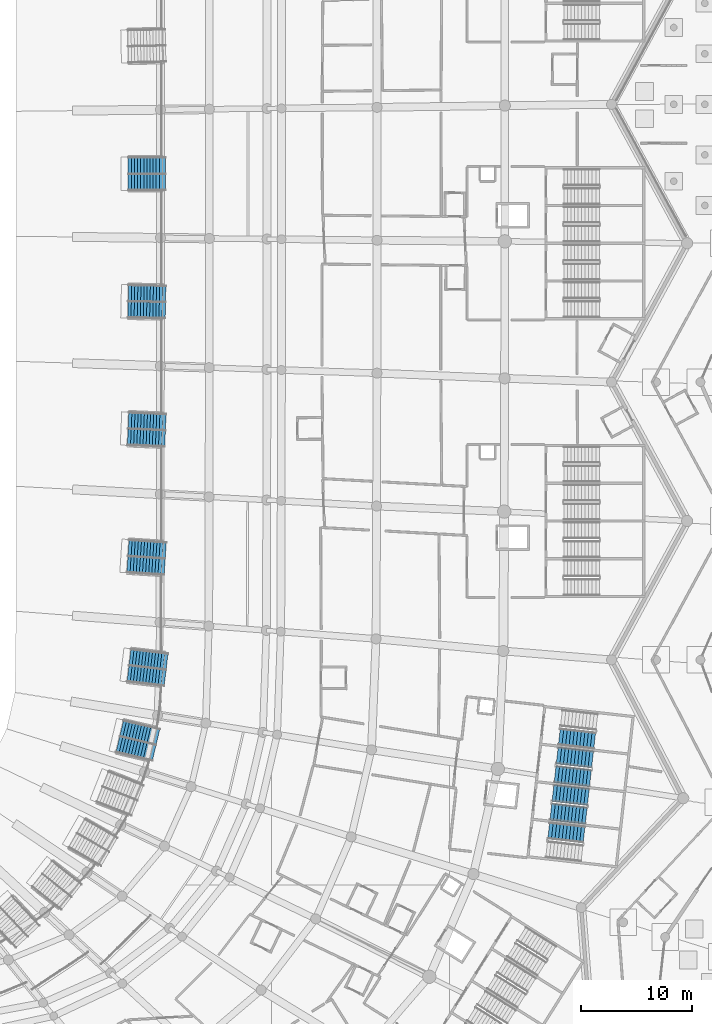
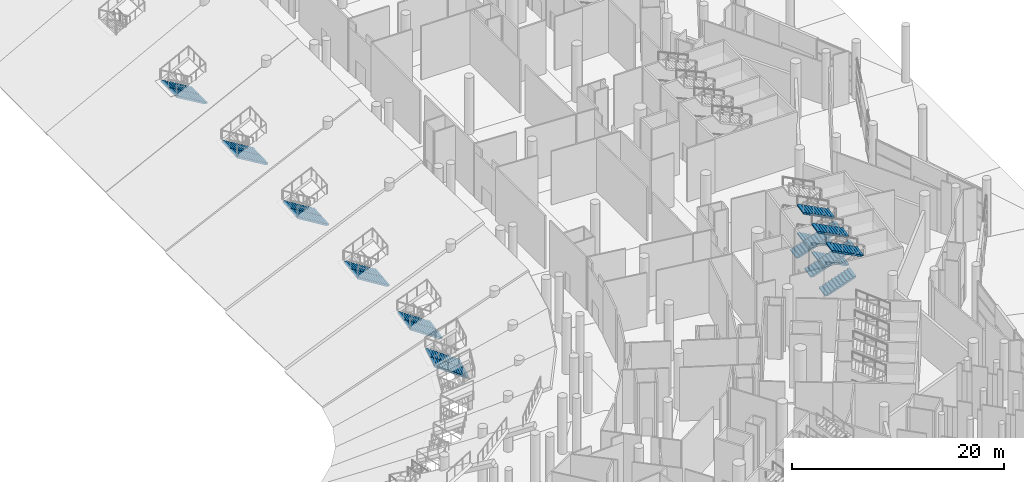
# One storey, part 169 of 255: 22 stair flights, 10 elements without a shape of their own.
"""IFC4 building model written with IfcOpenShell, lengths in metres."""

from ifc_helpers import new_model, si_unit, direction, frame, origin, place, context, subcontext, project, spatial, polyline, outline, extrude, material, type_object, element, aggregate, save


model = new_model("IFC4")

# Units and contexts
model_context = context("Model", 3, precision=1e-05, world=origin(), true_north=direction((0.0, 1.0)))
body_context = subcontext(model_context, "Body", "Model", "MODEL_VIEW")
ifc_project = project(units=[si_unit("LENGTHUNIT", "METRE"), si_unit("AREAUNIT", "SQUARE_METRE"), si_unit("VOLUMEUNIT", "CUBIC_METRE"), si_unit("PLANEANGLEUNIT", "RADIAN"), si_unit("MASSUNIT", "GRAM", prefix="KILO")], contexts=[model_context])

# Site, building, storey
site_placement = place(None, origin())
site = spatial("IfcSite", under=ifc_project, at=site_placement, CompositionType="ELEMENT")
building_placement = place(site_placement, origin())
building = spatial("IfcBuilding", under=site, at=building_placement, Name="Meseta Stadium", CompositionType="ELEMENT")
storey_placement = place(building_placement, origin())
storey = spatial("IfcBuildingStorey", under=building, at=storey_placement, Name="L00", CompositionType="ELEMENT", Elevation=0.0)

# Stair, stair flight
ifc_material_1 = material(Name="Concrete C40/50", Category="concrete")
stair_type_1 = type_object("IfcStairType", Name="Exit stair 4 flights 148 mm risers", PredefinedType="HALF_TURN_STAIR", material=ifc_material_1)
stair_1_placement = place(storey_placement, origin())
stair_1 = element("IfcStair", 1, at=stair_1_placement, inside=storey, type_object=stair_type_1, Name="ST1 L00", PredefinedType="HALF_TURN_STAIR")
ifc_material_2 = material(Name="Concrete C40/50", Category="concrete")
stair_flight_type_1 = type_object("IfcStairFlightType", Name="Exit stair flight 148 mm risers, 4 per storey", PredefinedType="STRAIGHT", material=ifc_material_2)
stair_flight_1_placement = place(storey_placement, frame((92.129150390625, -59.474365234375, 4.875), z_axis=(0.0, 0.0, 1.0), x_axis=(-0.993712210731, 0.11196446867, 0.0)))
stair_flight_1 = element("IfcStairFlight", 2, at=stair_flight_1_placement, type_object=stair_flight_type_1, Name="ST1 L00 flight 4", NumberOfRisers=11, NumberOfTreads=10, PredefinedType="STRAIGHT", RiserHeight=0.147727273, TreadLength=0.32, context=body_context, shape_type="SweptSolid", body=[
    extrude(outline(polyline([(0.0, 0.0), (0.0, 0.147705078125), (0.320068359375, 0.147705078125), (0.320068359375, 0.29541015625), (0.639892578125, 0.29541015625), (0.639892578125, 0.443115234375), (0.9599609375, 0.443115234375), (0.9599609375, 0.5908203125), (1.280029296875, 0.5908203125), (1.280029296875, 0.738525390625), (1.60009765625, 0.738525390625), (1.60009765625, 0.886474609375), (1.919921875, 0.886474609375), (1.919921875, 1.0341796875), (2.239990234375, 1.0341796875), (2.239990234375, 1.181884765625), (2.56005859375, 1.181884765625), (2.56005859375, 1.32958984375), (2.8798828125, 1.32958984375), (2.8798828125, 1.477294921875), (3.199951171875, 1.477294921875), (3.199951171875, 1.312255859375), (0.357666015625, 0.0), (0.0, 0.0)])), frame((0.0, 0.75, 0.0), z_axis=(0.0, -1.0, 0.0), x_axis=(1.0, 0.0, 0.0)), (0.0, 0.0, 1.0), 1.5),
])
aggregate(stair_1, [stair_flight_1])

# Stair, stair flights
stair_2_placement = place(storey_placement, origin())
stair_2 = element("IfcStair", 3, at=stair_2_placement, inside=storey, type_object=stair_type_1, Name="ST2 L00", PredefinedType="HALF_TURN_STAIR")
stair_flight_2_placement = place(storey_placement, frame((89.1396484375, -57.4267578125, 0.0), z_axis=(0.0, 0.0, 1.0), x_axis=(0.993712210731, -0.11196446867, 0.0)))
stair_flight_2 = element("IfcStairFlight", 4, at=stair_flight_2_placement, type_object=stair_flight_type_1, Name="ST2 L00 flight 1", NumberOfRisers=11, NumberOfTreads=10, PredefinedType="STRAIGHT", RiserHeight=0.147727273, TreadLength=0.32, context=body_context, shape_type="SweptSolid", body=[
    extrude(outline(polyline([(0.0, 0.0), (0.0, 0.147705078125), (0.320068359375, 0.147705078125), (0.320068359375, 0.29541015625), (0.639892578125, 0.29541015625), (0.639892578125, 0.443115234375), (0.9599609375, 0.443115234375), (0.9599609375, 0.5908203125), (1.280029296875, 0.5908203125), (1.280029296875, 0.738525390625), (1.60009765625, 0.738525390625), (1.60009765625, 0.886474609375), (1.919921875, 0.886474609375), (1.919921875, 1.0341796875), (2.239990234375, 1.0341796875), (2.239990234375, 1.181884765625), (2.56005859375, 1.181884765625), (2.56005859375, 1.32958984375), (2.8798828125, 1.32958984375), (2.8798828125, 1.477294921875), (3.199951171875, 1.477294921875), (3.199951171875, 1.312255859375), (0.357666015625, 0.0), (0.0, 0.0)])), frame((0.0, 0.75, 0.0), z_axis=(0.0, -1.0, 0.0), x_axis=(1.0, 0.0, 0.0)), (0.0, 0.0, 1.0), 1.5),
])
stair_flight_3_placement = place(storey_placement, frame((92.510009765625, -56.095703125, 1.625), z_axis=(0.0, 0.0, 1.0), x_axis=(-0.993712210731, 0.11196446867, 0.0)))
stair_flight_3 = element("IfcStairFlight", 5, at=stair_flight_3_placement, type_object=stair_flight_type_1, Name="ST2 L00 flight 2", NumberOfRisers=11, NumberOfTreads=10, PredefinedType="STRAIGHT", RiserHeight=0.147727273, TreadLength=0.32, context=body_context, shape_type="SweptSolid", body=[
    extrude(outline(polyline([(0.0, 0.0), (0.0, 0.147705078125), (0.320068359375, 0.147705078125), (0.320068359375, 0.29541015625), (0.639892578125, 0.29541015625), (0.639892578125, 0.443115234375), (0.9599609375, 0.443115234375), (0.9599609375, 0.5908203125), (1.280029296875, 0.5908203125), (1.280029296875, 0.738525390625), (1.60009765625, 0.738525390625), (1.60009765625, 0.886474609375), (1.919921875, 0.886474609375), (1.919921875, 1.0341796875), (2.239990234375, 1.0341796875), (2.239990234375, 1.181884765625), (2.56005859375, 1.181884765625), (2.56005859375, 1.32958984375), (2.8798828125, 1.32958984375), (2.8798828125, 1.477294921875), (3.199951171875, 1.477294921875), (3.199951171875, 1.312255859375), (0.357666015625, 0.0), (0.0, 0.0)])), frame((0.0, 0.75, 0.0), z_axis=(0.0, -1.0, 0.0), x_axis=(1.0, 0.0, 0.0)), (0.0, 0.0, 1.0), 1.5),
])
stair_flight_4_placement = place(storey_placement, frame((89.1396484375, -57.4267578125, 3.25), z_axis=(0.0, 0.0, 1.0), x_axis=(0.993712210731, -0.11196446867, 0.0)))
stair_flight_4 = element("IfcStairFlight", 6, at=stair_flight_4_placement, type_object=stair_flight_type_1, Name="ST2 L00 flight 3", NumberOfRisers=11, NumberOfTreads=10, PredefinedType="STRAIGHT", RiserHeight=0.147727273, TreadLength=0.32, context=body_context, shape_type="SweptSolid", body=[
    extrude(outline(polyline([(0.0, 0.0), (0.0, 0.147705078125), (0.320068359375, 0.147705078125), (0.320068359375, 0.29541015625), (0.639892578125, 0.29541015625), (0.639892578125, 0.443115234375), (0.9599609375, 0.443115234375), (0.9599609375, 0.5908203125), (1.280029296875, 0.5908203125), (1.280029296875, 0.738525390625), (1.60009765625, 0.738525390625), (1.60009765625, 0.886474609375), (1.919921875, 0.886474609375), (1.919921875, 1.0341796875), (2.239990234375, 1.0341796875), (2.239990234375, 1.181884765625), (2.56005859375, 1.181884765625), (2.56005859375, 1.32958984375), (2.8798828125, 1.32958984375), (2.8798828125, 1.477294921875), (3.199951171875, 1.477294921875), (3.199951171875, 1.312255859375), (0.357666015625, 0.0), (0.0, 0.0)])), frame((0.0, 0.75, 0.0), z_axis=(0.0, -1.0, 0.0), x_axis=(1.0, 0.0, 0.0)), (0.0, 0.0, 1.0), 1.5),
])
stair_flight_5_placement = place(storey_placement, frame((92.510009765625, -56.095703125, 4.875), z_axis=(0.0, 0.0, 1.0), x_axis=(-0.993712210731, 0.11196446867, 0.0)))
stair_flight_5 = element("IfcStairFlight", 7, at=stair_flight_5_placement, type_object=stair_flight_type_1, Name="ST2 L00 flight 4", NumberOfRisers=11, NumberOfTreads=10, PredefinedType="STRAIGHT", RiserHeight=0.147727273, TreadLength=0.32, context=body_context, shape_type="SweptSolid", body=[
    extrude(outline(polyline([(0.0, 0.0), (0.0, 0.147705078125), (0.320068359375, 0.147705078125), (0.320068359375, 0.29541015625), (0.639892578125, 0.29541015625), (0.639892578125, 0.443115234375), (0.9599609375, 0.443115234375), (0.9599609375, 0.5908203125), (1.280029296875, 0.5908203125), (1.280029296875, 0.738525390625), (1.60009765625, 0.738525390625), (1.60009765625, 0.886474609375), (1.919921875, 0.886474609375), (1.919921875, 1.0341796875), (2.239990234375, 1.0341796875), (2.239990234375, 1.181884765625), (2.56005859375, 1.181884765625), (2.56005859375, 1.32958984375), (2.8798828125, 1.32958984375), (2.8798828125, 1.477294921875), (3.199951171875, 1.477294921875), (3.199951171875, 1.312255859375), (0.357666015625, 0.0), (0.0, 0.0)])), frame((0.0, 0.75, 0.0), z_axis=(0.0, -1.0, 0.0), x_axis=(1.0, 0.0, 0.0)), (0.0, 0.0, 1.0), 1.5),
])
aggregate(stair_2, [stair_flight_2, stair_flight_3, stair_flight_4, stair_flight_5])

stair_3_placement = place(storey_placement, origin())
stair_3 = element("IfcStair", 8, at=stair_3_placement, inside=storey, type_object=stair_type_1, Name="ST3 L00", PredefinedType="HALF_TURN_STAIR")
stair_flight_6_placement = place(storey_placement, frame((89.5205078125, -54.048095703125, 0.0), z_axis=(0.0, 0.0, 1.0), x_axis=(0.993712210731, -0.11196446867, 0.0)))
stair_flight_6 = element("IfcStairFlight", 9, at=stair_flight_6_placement, type_object=stair_flight_type_1, Name="ST3 L00 flight 1", NumberOfRisers=11, NumberOfTreads=10, PredefinedType="STRAIGHT", RiserHeight=0.147727273, TreadLength=0.32, context=body_context, shape_type="SweptSolid", body=[
    extrude(outline(polyline([(0.0, 0.0), (0.0, 0.147705078125), (0.320068359375, 0.147705078125), (0.320068359375, 0.29541015625), (0.639892578125, 0.29541015625), (0.639892578125, 0.443115234375), (0.9599609375, 0.443115234375), (0.9599609375, 0.5908203125), (1.280029296875, 0.5908203125), (1.280029296875, 0.738525390625), (1.60009765625, 0.738525390625), (1.60009765625, 0.886474609375), (1.919921875, 0.886474609375), (1.919921875, 1.0341796875), (2.239990234375, 1.0341796875), (2.239990234375, 1.181884765625), (2.56005859375, 1.181884765625), (2.56005859375, 1.32958984375), (2.8798828125, 1.32958984375), (2.8798828125, 1.477294921875), (3.199951171875, 1.477294921875), (3.199951171875, 1.312255859375), (0.357666015625, 0.0), (0.0, 0.0)])), frame((0.0, 0.75, 0.0), z_axis=(0.0, -1.0, 0.0), x_axis=(1.0, 0.0, 0.0)), (0.0, 0.0, 1.0), 1.5),
])
stair_flight_7_placement = place(storey_placement, frame((92.890625, -52.71728515625, 1.625), z_axis=(0.0, 0.0, 1.0), x_axis=(-0.993712210731, 0.11196446867, 0.0)))
stair_flight_7 = element("IfcStairFlight", 10, at=stair_flight_7_placement, type_object=stair_flight_type_1, Name="ST3 L00 flight 2", NumberOfRisers=11, NumberOfTreads=10, PredefinedType="STRAIGHT", RiserHeight=0.147727273, TreadLength=0.32, context=body_context, shape_type="SweptSolid", body=[
    extrude(outline(polyline([(0.0, 0.0), (0.0, 0.147705078125), (0.320068359375, 0.147705078125), (0.320068359375, 0.29541015625), (0.639892578125, 0.29541015625), (0.639892578125, 0.443115234375), (0.9599609375, 0.443115234375), (0.9599609375, 0.5908203125), (1.280029296875, 0.5908203125), (1.280029296875, 0.738525390625), (1.60009765625, 0.738525390625), (1.60009765625, 0.886474609375), (1.919921875, 0.886474609375), (1.919921875, 1.0341796875), (2.239990234375, 1.0341796875), (2.239990234375, 1.181884765625), (2.56005859375, 1.181884765625), (2.56005859375, 1.32958984375), (2.8798828125, 1.32958984375), (2.8798828125, 1.477294921875), (3.199951171875, 1.477294921875), (3.199951171875, 1.312255859375), (0.357666015625, 0.0), (0.0, 0.0)])), frame((0.0, 0.75, 0.0), z_axis=(0.0, -1.0, 0.0), x_axis=(1.0, 0.0, 0.0)), (0.0, 0.0, 1.0), 1.5),
])
stair_flight_8_placement = place(storey_placement, frame((89.5205078125, -54.048095703125, 3.25), z_axis=(0.0, 0.0, 1.0), x_axis=(0.993712210731, -0.11196446867, 0.0)))
stair_flight_8 = element("IfcStairFlight", 11, at=stair_flight_8_placement, type_object=stair_flight_type_1, Name="ST3 L00 flight 3", NumberOfRisers=11, NumberOfTreads=10, PredefinedType="STRAIGHT", RiserHeight=0.147727273, TreadLength=0.32, context=body_context, shape_type="SweptSolid", body=[
    extrude(outline(polyline([(0.0, 0.0), (0.0, 0.147705078125), (0.320068359375, 0.147705078125), (0.320068359375, 0.29541015625), (0.639892578125, 0.29541015625), (0.639892578125, 0.443115234375), (0.9599609375, 0.443115234375), (0.9599609375, 0.5908203125), (1.280029296875, 0.5908203125), (1.280029296875, 0.738525390625), (1.60009765625, 0.738525390625), (1.60009765625, 0.886474609375), (1.919921875, 0.886474609375), (1.919921875, 1.0341796875), (2.239990234375, 1.0341796875), (2.239990234375, 1.181884765625), (2.56005859375, 1.181884765625), (2.56005859375, 1.32958984375), (2.8798828125, 1.32958984375), (2.8798828125, 1.477294921875), (3.199951171875, 1.477294921875), (3.199951171875, 1.312255859375), (0.357666015625, 0.0), (0.0, 0.0)])), frame((0.0, 0.75, 0.0), z_axis=(0.0, -1.0, 0.0), x_axis=(1.0, 0.0, 0.0)), (0.0, 0.0, 1.0), 1.5),
])
stair_flight_9_placement = place(storey_placement, frame((92.890625, -52.71728515625, 4.875), z_axis=(0.0, 0.0, 1.0), x_axis=(-0.993712210731, 0.11196446867, 0.0)))
stair_flight_9 = element("IfcStairFlight", 12, at=stair_flight_9_placement, type_object=stair_flight_type_1, Name="ST3 L00 flight 4", NumberOfRisers=11, NumberOfTreads=10, PredefinedType="STRAIGHT", RiserHeight=0.147727273, TreadLength=0.32, context=body_context, shape_type="SweptSolid", body=[
    extrude(outline(polyline([(0.0, 0.0), (0.0, 0.147705078125), (0.320068359375, 0.147705078125), (0.320068359375, 0.29541015625), (0.639892578125, 0.29541015625), (0.639892578125, 0.443115234375), (0.9599609375, 0.443115234375), (0.9599609375, 0.5908203125), (1.280029296875, 0.5908203125), (1.280029296875, 0.738525390625), (1.60009765625, 0.738525390625), (1.60009765625, 0.886474609375), (1.919921875, 0.886474609375), (1.919921875, 1.0341796875), (2.239990234375, 1.0341796875), (2.239990234375, 1.181884765625), (2.56005859375, 1.181884765625), (2.56005859375, 1.32958984375), (2.8798828125, 1.32958984375), (2.8798828125, 1.477294921875), (3.199951171875, 1.477294921875), (3.199951171875, 1.312255859375), (0.357666015625, 0.0), (0.0, 0.0)])), frame((0.0, 0.75, 0.0), z_axis=(0.0, -1.0, 0.0), x_axis=(1.0, 0.0, 0.0)), (0.0, 0.0, 1.0), 1.5),
])
aggregate(stair_3, [stair_flight_6, stair_flight_7, stair_flight_8, stair_flight_9])

# Stair, stair flight
stair_4_placement = place(storey_placement, origin())
stair_4 = element("IfcStair", 13, at=stair_4_placement, inside=storey, type_object=stair_type_1, Name="ST4 L00", PredefinedType="HALF_TURN_STAIR")
stair_flight_10_placement = place(storey_placement, frame((89.901123046875, -50.669677734375, 0.0), z_axis=(0.0, 0.0, 1.0), x_axis=(0.993712210731, -0.11196446867, 0.0)))
stair_flight_10 = element("IfcStairFlight", 14, at=stair_flight_10_placement, type_object=stair_flight_type_1, Name="ST4 L00 flight 1", NumberOfRisers=11, NumberOfTreads=10, PredefinedType="STRAIGHT", RiserHeight=0.147727273, TreadLength=0.32, context=body_context, shape_type="SweptSolid", body=[
    extrude(outline(polyline([(0.0, 0.0), (0.0, 0.147705078125), (0.320068359375, 0.147705078125), (0.320068359375, 0.29541015625), (0.639892578125, 0.29541015625), (0.639892578125, 0.443115234375), (0.9599609375, 0.443115234375), (0.9599609375, 0.5908203125), (1.280029296875, 0.5908203125), (1.280029296875, 0.738525390625), (1.60009765625, 0.738525390625), (1.60009765625, 0.886474609375), (1.919921875, 0.886474609375), (1.919921875, 1.0341796875), (2.239990234375, 1.0341796875), (2.239990234375, 1.181884765625), (2.56005859375, 1.181884765625), (2.56005859375, 1.32958984375), (2.8798828125, 1.32958984375), (2.8798828125, 1.477294921875), (3.199951171875, 1.477294921875), (3.199951171875, 1.312255859375), (0.357666015625, 0.0), (0.0, 0.0)])), frame((0.0, 0.75, 0.0), z_axis=(0.0, -1.0, 0.0), x_axis=(1.0, 0.0, 0.0)), (0.0, 0.0, 1.0), 1.5),
])
aggregate(stair_4, [stair_flight_10])

# Stair, stair flights
ifc_material_3 = material(Name="Concrete C40/50", Category="concrete")
stair_type_2 = type_object("IfcStairType", Name="Vomitory stair 3000", PredefinedType="STRAIGHT_RUN_STAIR", material=ifc_material_3)
stair_5_placement = place(storey_placement, origin())
stair_5 = element("IfcStair", 15, at=stair_5_placement, inside=storey, type_object=stair_type_2, Name="Vomitory V-lower-01", PredefinedType="STRAIGHT_RUN_STAIR")
ifc_material_4 = material(Name="Concrete C40/50", Category="concrete")
stair_flight_type_2 = type_object("IfcStairFlightType", Name="Vomitory stair flight 1450", PredefinedType="STRAIGHT", material=ifc_material_4)
stair_flight_11_placement = place(storey_placement, frame((54.417236328125, -45.40625, 0.0), z_axis=(0.0, 0.0, 1.0), x_axis=(-0.993015017931, 0.117988025512, 0.0)))
stair_flight_11 = element("IfcStairFlight", 16, at=stair_flight_11_placement, type_object=stair_flight_type_2, Name="Vomitory V-lower-01 flight 1", NumberOfRisers=13, NumberOfTreads=12, PredefinedType="STRAIGHT", RiserHeight=0.172959, TreadLength=0.28, context=body_context, shape_type="SweptSolid", body=[
    extrude(outline(polyline([(0.0, 0.0), (0.0, 0.1728515625), (0.280029296875, 0.1728515625), (0.280029296875, 0.345947265625), (0.56005859375, 0.345947265625), (0.56005859375, 0.518798828125), (0.840087890625, 0.518798828125), (0.840087890625, 0.69189453125), (1.1201171875, 0.69189453125), (1.1201171875, 0.86474609375), (1.39990234375, 0.86474609375), (1.39990234375, 1.037841796875), (1.679931640625, 1.037841796875), (1.679931640625, 1.210693359375), (1.9599609375, 1.210693359375), (1.9599609375, 1.3837890625), (2.239990234375, 1.3837890625), (2.239990234375, 1.556640625), (2.52001953125, 1.556640625), (2.52001953125, 1.7294921875), (2.800048828125, 1.7294921875), (2.800048828125, 1.902587890625), (3.080078125, 1.902587890625), (3.080078125, 2.075439453125), (3.360107421875, 2.075439453125), (3.360107421875, 1.8994140625), (0.28515625, 0.0), (0.0, 0.0)])), frame((0.0, 0.72509765625, 0.0), z_axis=(0.0, -1.0, 0.0), x_axis=(1.0, 0.0, 0.0)), (0.0, 0.0, 1.0), 1.449951171875),
])
stair_flight_12_placement = place(storey_placement, frame((54.60009765625, -43.8671875, 0.0), z_axis=(0.0, 0.0, 1.0), x_axis=(-0.993015017931, 0.117988025512, 0.0)))
stair_flight_12 = element("IfcStairFlight", 17, at=stair_flight_12_placement, type_object=stair_flight_type_2, Name="Vomitory V-lower-01 flight 2", NumberOfRisers=13, NumberOfTreads=12, PredefinedType="STRAIGHT", RiserHeight=0.172959, TreadLength=0.28, context=body_context, shape_type="SweptSolid", body=[
    extrude(outline(polyline([(0.0, 0.0), (0.0, 0.1728515625), (0.280029296875, 0.1728515625), (0.280029296875, 0.345947265625), (0.56005859375, 0.345947265625), (0.56005859375, 0.518798828125), (0.840087890625, 0.518798828125), (0.840087890625, 0.69189453125), (1.1201171875, 0.69189453125), (1.1201171875, 0.86474609375), (1.39990234375, 0.86474609375), (1.39990234375, 1.037841796875), (1.679931640625, 1.037841796875), (1.679931640625, 1.210693359375), (1.9599609375, 1.210693359375), (1.9599609375, 1.3837890625), (2.239990234375, 1.3837890625), (2.239990234375, 1.556640625), (2.52001953125, 1.556640625), (2.52001953125, 1.7294921875), (2.800048828125, 1.7294921875), (2.800048828125, 1.902587890625), (3.080078125, 1.902587890625), (3.080078125, 2.075439453125), (3.360107421875, 2.075439453125), (3.360107421875, 1.8994140625), (0.28515625, 0.0), (0.0, 0.0)])), frame((0.0, 0.72509765625, 0.0), z_axis=(0.0, -1.0, 0.0), x_axis=(1.0, 0.0, 0.0)), (0.0, 0.0, 1.0), 1.449951171875),
])
aggregate(stair_5, [stair_flight_11, stair_flight_12])

stair_6_placement = place(storey_placement, origin())
stair_6 = element("IfcStair", 18, at=stair_6_placement, inside=storey, type_object=stair_type_2, Name="Vomitory V-lower-02", PredefinedType="STRAIGHT_RUN_STAIR")
stair_flight_13_placement = place(storey_placement, frame((54.37939453125, -35.40673828125, 0.0), z_axis=(0.0, 0.0, 1.0), x_axis=(-0.997842912451, 0.065646950207, 0.0)))
stair_flight_13 = element("IfcStairFlight", 19, at=stair_flight_13_placement, type_object=stair_flight_type_2, Name="Vomitory V-lower-02 flight 1", NumberOfRisers=13, NumberOfTreads=12, PredefinedType="STRAIGHT", RiserHeight=0.165438, TreadLength=0.28, context=body_context, shape_type="SweptSolid", body=[
    extrude(outline(polyline([(0.0, 0.0), (0.0, 0.16552734375), (0.280029296875, 0.16552734375), (0.280029296875, 0.330810546875), (0.56005859375, 0.330810546875), (0.56005859375, 0.496337890625), (0.840087890625, 0.496337890625), (0.840087890625, 0.661865234375), (1.1201171875, 0.661865234375), (1.1201171875, 0.8271484375), (1.39990234375, 0.8271484375), (1.39990234375, 0.99267578125), (1.679931640625, 0.99267578125), (1.679931640625, 1.157958984375), (1.9599609375, 1.157958984375), (1.9599609375, 1.323486328125), (2.239990234375, 1.323486328125), (2.239990234375, 1.489013671875), (2.52001953125, 1.489013671875), (2.52001953125, 1.654296875), (2.800048828125, 1.654296875), (2.800048828125, 1.81982421875), (3.080078125, 1.81982421875), (3.080078125, 1.9853515625), (3.360107421875, 1.9853515625), (3.360107421875, 1.81103515625), (0.294677734375, 0.0), (0.0, 0.0)])), frame((0.0, 0.72509765625, 0.0), z_axis=(0.0, -1.0, 0.0), x_axis=(1.0, 0.0, 0.0)), (0.0, 0.0, 1.0), 1.449951171875),
])
stair_flight_14_placement = place(storey_placement, frame((54.481201171875, -33.860107421875, 0.0), z_axis=(0.0, 0.0, 1.0), x_axis=(-0.997842912451, 0.065646950207, 0.0)))
stair_flight_14 = element("IfcStairFlight", 20, at=stair_flight_14_placement, type_object=stair_flight_type_2, Name="Vomitory V-lower-02 flight 2", NumberOfRisers=13, NumberOfTreads=12, PredefinedType="STRAIGHT", RiserHeight=0.165438, TreadLength=0.28, context=body_context, shape_type="SweptSolid", body=[
    extrude(outline(polyline([(0.0, 0.0), (0.0, 0.16552734375), (0.280029296875, 0.16552734375), (0.280029296875, 0.330810546875), (0.56005859375, 0.330810546875), (0.56005859375, 0.496337890625), (0.840087890625, 0.496337890625), (0.840087890625, 0.661865234375), (1.1201171875, 0.661865234375), (1.1201171875, 0.8271484375), (1.39990234375, 0.8271484375), (1.39990234375, 0.99267578125), (1.679931640625, 0.99267578125), (1.679931640625, 1.157958984375), (1.9599609375, 1.157958984375), (1.9599609375, 1.323486328125), (2.239990234375, 1.323486328125), (2.239990234375, 1.489013671875), (2.52001953125, 1.489013671875), (2.52001953125, 1.654296875), (2.800048828125, 1.654296875), (2.800048828125, 1.81982421875), (3.080078125, 1.81982421875), (3.080078125, 1.9853515625), (3.360107421875, 1.9853515625), (3.360107421875, 1.81103515625), (0.294677734375, 0.0), (0.0, 0.0)])), frame((0.0, 0.72509765625, 0.0), z_axis=(0.0, -1.0, 0.0), x_axis=(1.0, 0.0, 0.0)), (0.0, 0.0, 1.0), 1.449951171875),
])
aggregate(stair_6, [stair_flight_13, stair_flight_14])

stair_7_placement = place(storey_placement, origin())
stair_7 = element("IfcStair", 21, at=stair_7_placement, inside=storey, type_object=stair_type_2, Name="Vomitory V-lower-03", PredefinedType="STRAIGHT_RUN_STAIR")
stair_flight_15_placement = place(storey_placement, frame((54.41259765625, -23.864013671875, 0.0), z_axis=(0.0, 0.0, 1.0), x_axis=(-0.999039522965, 0.043818164662, 0.0)))
stair_flight_15 = element("IfcStairFlight", 22, at=stair_flight_15_placement, type_object=stair_flight_type_2, Name="Vomitory V-lower-03 flight 1", NumberOfRisers=13, NumberOfTreads=12, PredefinedType="STRAIGHT", RiserHeight=0.165438, TreadLength=0.28, context=body_context, shape_type="SweptSolid", body=[
    extrude(outline(polyline([(0.0, 0.0), (0.0, 0.16552734375), (0.280029296875, 0.16552734375), (0.280029296875, 0.330810546875), (0.56005859375, 0.330810546875), (0.56005859375, 0.496337890625), (0.840087890625, 0.496337890625), (0.840087890625, 0.661865234375), (1.1201171875, 0.661865234375), (1.1201171875, 0.8271484375), (1.39990234375, 0.8271484375), (1.39990234375, 0.99267578125), (1.679931640625, 0.99267578125), (1.679931640625, 1.157958984375), (1.9599609375, 1.157958984375), (1.9599609375, 1.323486328125), (2.239990234375, 1.323486328125), (2.239990234375, 1.489013671875), (2.52001953125, 1.489013671875), (2.52001953125, 1.654296875), (2.800048828125, 1.654296875), (2.800048828125, 1.81982421875), (3.080078125, 1.81982421875), (3.080078125, 1.9853515625), (3.360107421875, 1.9853515625), (3.360107421875, 1.81103515625), (0.294677734375, 0.0), (0.0, 0.0)])), frame((0.0, 0.72509765625, 0.0), z_axis=(0.0, -1.0, 0.0), x_axis=(1.0, 0.0, 0.0)), (0.0, 0.0, 1.0), 1.449951171875),
])
stair_flight_16_placement = place(storey_placement, frame((54.48046875, -22.3154296875, 0.0), z_axis=(0.0, 0.0, 1.0), x_axis=(-0.999039522965, 0.043818164662, 0.0)))
stair_flight_16 = element("IfcStairFlight", 23, at=stair_flight_16_placement, type_object=stair_flight_type_2, Name="Vomitory V-lower-03 flight 2", NumberOfRisers=13, NumberOfTreads=12, PredefinedType="STRAIGHT", RiserHeight=0.165438, TreadLength=0.28, context=body_context, shape_type="SweptSolid", body=[
    extrude(outline(polyline([(0.0, 0.0), (0.0, 0.16552734375), (0.280029296875, 0.16552734375), (0.280029296875, 0.330810546875), (0.56005859375, 0.330810546875), (0.56005859375, 0.496337890625), (0.840087890625, 0.496337890625), (0.840087890625, 0.661865234375), (1.1201171875, 0.661865234375), (1.1201171875, 0.8271484375), (1.39990234375, 0.8271484375), (1.39990234375, 0.99267578125), (1.679931640625, 0.99267578125), (1.679931640625, 1.157958984375), (1.9599609375, 1.157958984375), (1.9599609375, 1.323486328125), (2.239990234375, 1.323486328125), (2.239990234375, 1.489013671875), (2.52001953125, 1.489013671875), (2.52001953125, 1.654296875), (2.800048828125, 1.654296875), (2.800048828125, 1.81982421875), (3.080078125, 1.81982421875), (3.080078125, 1.9853515625), (3.360107421875, 1.9853515625), (3.360107421875, 1.81103515625), (0.294677734375, 0.0), (0.0, 0.0)])), frame((0.0, 0.72509765625, 0.0), z_axis=(0.0, -1.0, 0.0), x_axis=(1.0, 0.0, 0.0)), (0.0, 0.0, 1.0), 1.449951171875),
])
aggregate(stair_7, [stair_flight_15, stair_flight_16])

stair_8_placement = place(storey_placement, origin())
stair_8 = element("IfcStair", 24, at=stair_8_placement, inside=storey, type_object=stair_type_2, Name="Vomitory V-lower-04", PredefinedType="STRAIGHT_RUN_STAIR")
stair_flight_17_placement = place(storey_placement, frame((54.439208984375, -12.31982421875, 0.0), z_axis=(0.0, 0.0, 1.0), x_axis=(-0.999759622364, 0.021924814479, 0.0)))
stair_flight_17 = element("IfcStairFlight", 25, at=stair_flight_17_placement, type_object=stair_flight_type_2, Name="Vomitory V-lower-04 flight 1", NumberOfRisers=13, NumberOfTreads=12, PredefinedType="STRAIGHT", RiserHeight=0.165438, TreadLength=0.28, context=body_context, shape_type="SweptSolid", body=[
    extrude(outline(polyline([(0.0, 0.0), (0.0, 0.16552734375), (0.280029296875, 0.16552734375), (0.280029296875, 0.330810546875), (0.56005859375, 0.330810546875), (0.56005859375, 0.496337890625), (0.840087890625, 0.496337890625), (0.840087890625, 0.661865234375), (1.1201171875, 0.661865234375), (1.1201171875, 0.8271484375), (1.39990234375, 0.8271484375), (1.39990234375, 0.99267578125), (1.679931640625, 0.99267578125), (1.679931640625, 1.157958984375), (1.9599609375, 1.157958984375), (1.9599609375, 1.323486328125), (2.239990234375, 1.323486328125), (2.239990234375, 1.489013671875), (2.52001953125, 1.489013671875), (2.52001953125, 1.654296875), (2.800048828125, 1.654296875), (2.800048828125, 1.81982421875), (3.080078125, 1.81982421875), (3.080078125, 1.9853515625), (3.360107421875, 1.9853515625), (3.360107421875, 1.81103515625), (0.294677734375, 0.0), (0.0, 0.0)])), frame((0.0, 0.72509765625, 0.0), z_axis=(0.0, -1.0, 0.0), x_axis=(1.0, 0.0, 0.0)), (0.0, 0.0, 1.0), 1.449951171875),
])
stair_flight_18_placement = place(storey_placement, frame((54.47314453125, -10.770263671875, 0.0), z_axis=(0.0, 0.0, 1.0), x_axis=(-0.999759622364, 0.021924814479, 0.0)))
stair_flight_18 = element("IfcStairFlight", 26, at=stair_flight_18_placement, type_object=stair_flight_type_2, Name="Vomitory V-lower-04 flight 2", NumberOfRisers=13, NumberOfTreads=12, PredefinedType="STRAIGHT", RiserHeight=0.165438, TreadLength=0.28, context=body_context, shape_type="SweptSolid", body=[
    extrude(outline(polyline([(0.0, 0.0), (0.0, 0.16552734375), (0.280029296875, 0.16552734375), (0.280029296875, 0.330810546875), (0.56005859375, 0.330810546875), (0.56005859375, 0.496337890625), (0.840087890625, 0.496337890625), (0.840087890625, 0.661865234375), (1.1201171875, 0.661865234375), (1.1201171875, 0.8271484375), (1.39990234375, 0.8271484375), (1.39990234375, 0.99267578125), (1.679931640625, 0.99267578125), (1.679931640625, 1.157958984375), (1.9599609375, 1.157958984375), (1.9599609375, 1.323486328125), (2.239990234375, 1.323486328125), (2.239990234375, 1.489013671875), (2.52001953125, 1.489013671875), (2.52001953125, 1.654296875), (2.800048828125, 1.654296875), (2.800048828125, 1.81982421875), (3.080078125, 1.81982421875), (3.080078125, 1.9853515625), (3.360107421875, 1.9853515625), (3.360107421875, 1.81103515625), (0.294677734375, 0.0), (0.0, 0.0)])), frame((0.0, 0.72509765625, 0.0), z_axis=(0.0, -1.0, 0.0), x_axis=(1.0, 0.0, 0.0)), (0.0, 0.0, 1.0), 1.449951171875),
])
aggregate(stair_8, [stair_flight_17, stair_flight_18])

stair_9_placement = place(storey_placement, origin())
stair_9 = element("IfcStair", 27, at=stair_9_placement, inside=storey, type_object=stair_type_2, Name="Vomitory V-lower-05", PredefinedType="STRAIGHT_RUN_STAIR")
stair_flight_19_placement = place(storey_placement, frame((54.45947265625, -0.77490234375, 0.0), z_axis=(0.0, 0.0, 1.0), x_axis=(-1.0, 0.0, 0.0)))
stair_flight_19 = element("IfcStairFlight", 28, at=stair_flight_19_placement, type_object=stair_flight_type_2, Name="Vomitory V-lower-05 flight 1", NumberOfRisers=13, NumberOfTreads=12, PredefinedType="STRAIGHT", RiserHeight=0.165438, TreadLength=0.28, context=body_context, shape_type="SweptSolid", body=[
    extrude(outline(polyline([(0.0, 0.0), (0.0, 0.16552734375), (0.280029296875, 0.16552734375), (0.280029296875, 0.330810546875), (0.56005859375, 0.330810546875), (0.56005859375, 0.496337890625), (0.840087890625, 0.496337890625), (0.840087890625, 0.661865234375), (1.1201171875, 0.661865234375), (1.1201171875, 0.8271484375), (1.39990234375, 0.8271484375), (1.39990234375, 0.99267578125), (1.679931640625, 0.99267578125), (1.679931640625, 1.157958984375), (1.9599609375, 1.157958984375), (1.9599609375, 1.323486328125), (2.239990234375, 1.323486328125), (2.239990234375, 1.489013671875), (2.52001953125, 1.489013671875), (2.52001953125, 1.654296875), (2.800048828125, 1.654296875), (2.800048828125, 1.81982421875), (3.080078125, 1.81982421875), (3.080078125, 1.9853515625), (3.360107421875, 1.9853515625), (3.360107421875, 1.81103515625), (0.294677734375, 0.0), (0.0, 0.0)])), frame((0.0, 0.72509765625, 0.0), z_axis=(0.0, -1.0, 0.0), x_axis=(1.0, 0.0, 0.0)), (0.0, 0.0, 1.0), 1.449951171875),
])
stair_flight_20_placement = place(storey_placement, frame((54.45947265625, 0.77490234375, 0.0), z_axis=(0.0, 0.0, 1.0), x_axis=(-1.0, 0.0, 0.0)))
stair_flight_20 = element("IfcStairFlight", 29, at=stair_flight_20_placement, type_object=stair_flight_type_2, Name="Vomitory V-lower-05 flight 2", NumberOfRisers=13, NumberOfTreads=12, PredefinedType="STRAIGHT", RiserHeight=0.165438, TreadLength=0.28, context=body_context, shape_type="SweptSolid", body=[
    extrude(outline(polyline([(0.0, 0.0), (0.0, 0.16552734375), (0.280029296875, 0.16552734375), (0.280029296875, 0.330810546875), (0.56005859375, 0.330810546875), (0.56005859375, 0.496337890625), (0.840087890625, 0.496337890625), (0.840087890625, 0.661865234375), (1.1201171875, 0.661865234375), (1.1201171875, 0.8271484375), (1.39990234375, 0.8271484375), (1.39990234375, 0.99267578125), (1.679931640625, 0.99267578125), (1.679931640625, 1.157958984375), (1.9599609375, 1.157958984375), (1.9599609375, 1.323486328125), (2.239990234375, 1.323486328125), (2.239990234375, 1.489013671875), (2.52001953125, 1.489013671875), (2.52001953125, 1.654296875), (2.800048828125, 1.654296875), (2.800048828125, 1.81982421875), (3.080078125, 1.81982421875), (3.080078125, 1.9853515625), (3.360107421875, 1.9853515625), (3.360107421875, 1.81103515625), (0.294677734375, 0.0), (0.0, 0.0)])), frame((0.0, 0.72509765625, 0.0), z_axis=(0.0, -1.0, 0.0), x_axis=(1.0, 0.0, 0.0)), (0.0, 0.0, 1.0), 1.449951171875),
])
aggregate(stair_9, [stair_flight_19, stair_flight_20])

stair_10_placement = place(storey_placement, origin())
stair_10 = element("IfcStair", 30, at=stair_10_placement, inside=storey, type_object=stair_type_2, Name="Vomitory V-lower-56", PredefinedType="STRAIGHT_RUN_STAIR")
stair_flight_21_placement = place(storey_placement, frame((53.428466796875, -52.15673828125, 0.0), z_axis=(0.0, 0.0, 1.0), x_axis=(-0.973256309483, 0.229721910255, 0.0)))
stair_flight_21 = element("IfcStairFlight", 31, at=stair_flight_21_placement, type_object=stair_flight_type_2, Name="Vomitory V-lower-56 flight 1", NumberOfRisers=13, NumberOfTreads=12, PredefinedType="STRAIGHT", RiserHeight=0.164433, TreadLength=0.28, context=body_context, shape_type="SweptSolid", body=[
    extrude(outline(polyline([(0.0, 0.0), (0.0, 0.16455078125), (0.280029296875, 0.16455078125), (0.280029296875, 0.328857421875), (0.56005859375, 0.328857421875), (0.56005859375, 0.493408203125), (0.840087890625, 0.493408203125), (0.840087890625, 0.65771484375), (1.1201171875, 0.65771484375), (1.1201171875, 0.822265625), (1.39990234375, 0.822265625), (1.39990234375, 0.986572265625), (1.679931640625, 0.986572265625), (1.679931640625, 1.151123046875), (1.9599609375, 1.151123046875), (1.9599609375, 1.3154296875), (2.239990234375, 1.3154296875), (2.239990234375, 1.47998046875), (2.52001953125, 1.47998046875), (2.52001953125, 1.644287109375), (2.800048828125, 1.644287109375), (2.800048828125, 1.808837890625), (3.080078125, 1.808837890625), (3.080078125, 1.97314453125), (3.360107421875, 1.97314453125), (3.360107421875, 1.79931640625), (0.2958984375, 0.0), (0.0, 0.0)])), frame((0.0, 0.72509765625, 0.0), z_axis=(0.0, -1.0, 0.0), x_axis=(1.0, 0.0, 0.0)), (0.0, 0.0, 1.0), 1.449951171875),
])
stair_flight_22_placement = place(storey_placement, frame((53.78466796875, -50.648193359375, 0.0), z_axis=(0.0, 0.0, 1.0), x_axis=(-0.973256309483, 0.229721910255, 0.0)))
stair_flight_22 = element("IfcStairFlight", 32, at=stair_flight_22_placement, type_object=stair_flight_type_2, Name="Vomitory V-lower-56 flight 2", NumberOfRisers=13, NumberOfTreads=12, PredefinedType="STRAIGHT", RiserHeight=0.164433, TreadLength=0.28, context=body_context, shape_type="SweptSolid", body=[
    extrude(outline(polyline([(0.0, 0.0), (0.0, 0.16455078125), (0.280029296875, 0.16455078125), (0.280029296875, 0.328857421875), (0.56005859375, 0.328857421875), (0.56005859375, 0.493408203125), (0.840087890625, 0.493408203125), (0.840087890625, 0.65771484375), (1.1201171875, 0.65771484375), (1.1201171875, 0.822265625), (1.39990234375, 0.822265625), (1.39990234375, 0.986572265625), (1.679931640625, 0.986572265625), (1.679931640625, 1.151123046875), (1.9599609375, 1.151123046875), (1.9599609375, 1.3154296875), (2.239990234375, 1.3154296875), (2.239990234375, 1.47998046875), (2.52001953125, 1.47998046875), (2.52001953125, 1.644287109375), (2.800048828125, 1.644287109375), (2.800048828125, 1.808837890625), (3.080078125, 1.808837890625), (3.080078125, 1.97314453125), (3.360107421875, 1.97314453125), (3.360107421875, 1.79931640625), (0.2958984375, 0.0), (0.0, 0.0)])), frame((0.0, 0.72509765625, 0.0), z_axis=(0.0, -1.0, 0.0), x_axis=(1.0, 0.0, 0.0)), (0.0, 0.0, 1.0), 1.449951171875),
])
aggregate(stair_10, [stair_flight_21, stair_flight_22])

save(model, "model.ifc")
